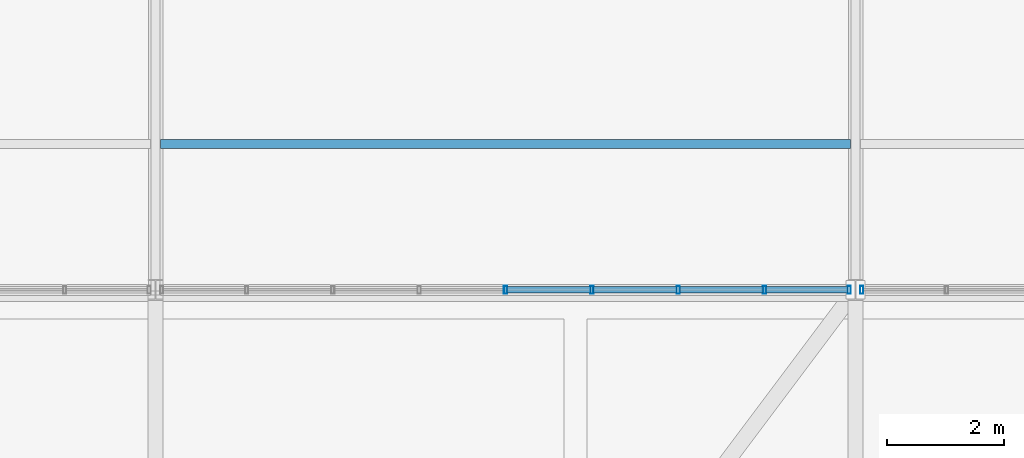
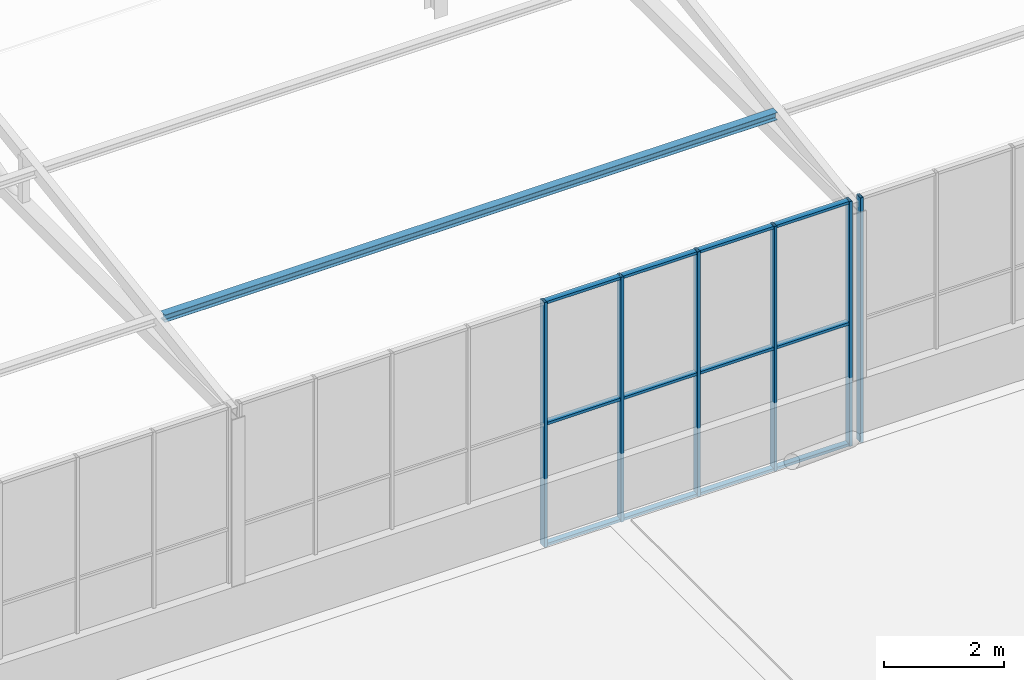
# One storey, part 56 of 104: 18 members, 1 beam, 2 elements without a shape of their own.
"""IFC4 building model written with IfcOpenShell, lengths in metres."""

import ifcopenshell
import ifcopenshell.guid

model = None  # the IFC model being written
_history = None  # IfcOwnerHistory: only IFC2X3 demands one
_inside = {}  # id of a spatial element -> (the spatial element, [elements in it])
_under = {}  # id of a project, library or spatial element -> (it, [spatial elements below it])
_declared = {}  # id of a project -> (the project, [libraries it declares])
_typed = {}  # id of a type object -> (the type object, [elements of that type])
_made_of = {}  # id of a material, layer set ... -> (it, [elements and type objects made of it])


def new_model(schema):
    """Start an empty IFC model of exactly this schema.

    Asked for "IFC4X3", IfcOpenShell would pick the latest addendum, in which some entities
    have other attributes; the version numbers below select the first issue.
    IFC2X3 requires an IfcOwnerHistory on every rooted entity: one is made here for all.
    """
    global model, _history
    if schema == "IFC4X3":
        model = ifcopenshell.file(schema_version=(4, 3, 0, 0))
    else:
        model = ifcopenshell.file(schema=schema)
    _inside.clear()
    _under.clear()
    _declared.clear()
    _typed.clear()
    _made_of.clear()
    _history = None
    if model.schema == "IFC2X3":
        org = make("IfcOrganization", Name="unknown")
        user = make(
            "IfcPersonAndOrganization",
            ThePerson=make("IfcPerson", FamilyName="unknown"),
            TheOrganization=org,
        )
        app = make(
            "IfcApplication",
            ApplicationDeveloper=org,
            Version="unknown",
            ApplicationFullName="unknown",
            ApplicationIdentifier="unknown",
        )
        _history = make(
            "IfcOwnerHistory",
            OwningUser=user,
            OwningApplication=app,
            ChangeAction="ADDED",
            CreationDate=0,
        )
    return model


def make(cls, **values):
    """One entity of the class cls with the attributes given. An attribute that is None is left unset."""
    return model.create_entity(
        cls, **{name: value for name, value in values.items() if value is not None}
    )


def rooted(cls, **values):
    """An entity with a GlobalId (a new one), such as an element, a storey or a relation."""
    return make(cls, GlobalId=ifcopenshell.guid.new(), OwnerHistory=_history, **values)


def si_unit(unit_type, name, prefix=None):
    """IfcSIUnit, for example si_unit("LENGTHUNIT", "METRE", prefix="MILLI")."""
    return make("IfcSIUnit", UnitType=unit_type, Prefix=prefix, Name=name)


def assignment(units):
    """IfcUnitAssignment: the units of a project."""
    return None if units is None else make("IfcUnitAssignment", Units=units)


def point(xyz):
    """IfcCartesianPoint."""
    return None if xyz is None else make("IfcCartesianPoint", Coordinates=xyz)


def direction(xyz):
    """IfcDirection."""
    return None if xyz is None else make("IfcDirection", DirectionRatios=xyz)


def frame(location, z_axis=None, x_axis=None):
    """IfcAxis2Placement3D, a coordinate frame: its origin and axes. An axis left out is left unset."""
    return make(
        "IfcAxis2Placement3D",
        Location=point(location),
        Axis=direction(z_axis),
        RefDirection=direction(x_axis),
    )


def frame_2d(location, x_axis=None):
    """IfcAxis2Placement2D, a coordinate frame in the plane: its origin and x axis."""
    return make(
        "IfcAxis2Placement2D", Location=point(location), RefDirection=direction(x_axis)
    )


def origin():
    """The frame at (0, 0, 0) with its axes left unset."""
    return frame((0.0, 0.0, 0.0))


def origin_2d():
    """The frame at (0, 0) in the plane with its x axis left unset."""
    return frame_2d((0.0, 0.0))


def place(relative_to, where):
    """IfcLocalPlacement: puts the frame where relative to a parent placement (None: the world)."""
    return make(
        "IfcLocalPlacement", PlacementRelTo=relative_to, RelativePlacement=where
    )


def context(
    kind, dimensions, precision=None, world=None, true_north=None, identifier=None
):
    """IfcGeometricRepresentationContext, for example the 3D "Model" context."""
    return make(
        "IfcGeometricRepresentationContext",
        ContextIdentifier=identifier,
        ContextType=kind,
        CoordinateSpaceDimension=dimensions,
        Precision=precision,
        WorldCoordinateSystem=world,
        TrueNorth=true_north,
    )


def subcontext(parent, identifier, kind, view, scale=None):
    """IfcGeometricRepresentationSubContext, for example "Body" below "Model"."""
    return make(
        "IfcGeometricRepresentationSubContext",
        ContextIdentifier=identifier,
        ContextType=kind,
        ParentContext=parent,
        TargetScale=scale,
        TargetView=view,
    )


def project(units=None, contexts=None):
    """IfcProject with its units and contexts."""
    return rooted(
        "IfcProject",
        Name="project",
        RepresentationContexts=contexts,
        UnitsInContext=assignment(units),
    )


def spatial(cls, under=None, at=None, **own):
    """A site, building, storey or space (cls), placed at a placement, below another one or the project."""
    s = rooted(cls, ObjectPlacement=at, **own)
    if under is not None:
        _under.setdefault(under.id(), (under, []))[1].append(s)
    return s


def profile(cls, at=None, kind="AREA", **sizes):
    """A parametric profile (cls). Its sizes go by their IFC names, for example OverallWidth=200.0."""
    return make(cls, ProfileType=kind, Position=at, **sizes)


def hollow_rectangle(**sizes):
    """IfcRectangleHollowProfileDef."""
    return profile("IfcRectangleHollowProfileDef", **sizes)


def i_section(**sizes):
    """IfcIShapeProfileDef."""
    return profile("IfcIShapeProfileDef", **sizes)


def extrude(swept, where, along, depth):
    """IfcExtrudedAreaSolid: the profile swept, set in the frame where, extruded along a direction by depth."""
    return make(
        "IfcExtrudedAreaSolid",
        SweptArea=swept,
        Position=where,
        ExtrudedDirection=direction(along),
        Depth=depth,
    )


def shape(context_of_items, identifier, shape_type, items):
    """IfcShapeRepresentation: the items that make up one representation, for example the "Body"."""
    return make(
        "IfcShapeRepresentation",
        ContextOfItems=context_of_items,
        RepresentationIdentifier=identifier,
        RepresentationType=shape_type,
        Items=items,
    )


def material(Name=None, Category=None):
    """IfcMaterial."""
    return make("IfcMaterial", Name=Name, Category=Category)


def layer(
    of_material, thickness, ventilated=None, Name=None, Category=None, Priority=None
):
    """IfcMaterialLayer: one layer of a wall or slab, of a material (None: an air gap)."""
    return make(
        "IfcMaterialLayer",
        Material=of_material,
        LayerThickness=thickness,
        IsVentilated=ventilated,
        Name=Name,
        Category=Category,
        Priority=Priority,
    )


def layer_set(layers, Name=None):
    """IfcMaterialLayerSet."""
    return make("IfcMaterialLayerSet", MaterialLayers=layers, LayerSetName=Name)


def material_profile(
    of_material, cross_section, Name=None, Category=None, Priority=None
):
    """IfcMaterialProfile: a cross section and its material."""
    return make(
        "IfcMaterialProfile",
        Name=Name,
        Material=of_material,
        Profile=cross_section,
        Priority=Priority,
        Category=Category,
    )


def profile_set(profiles, Name=None, composite=None):
    """IfcMaterialProfileSet."""
    return make(
        "IfcMaterialProfileSet",
        Name=Name,
        MaterialProfiles=profiles,
        CompositeProfile=composite,
    )


def made_of(thing, what):
    """Note that an element or type object is made of a material, layer set ...; save() writes the relation."""
    if what is not None:
        _made_of.setdefault(what.id(), (what, []))[1].append(thing)
    return thing


def type_object(cls, material=None, **own):
    """A type object (cls), such as IfcWallType, which elements share."""
    return made_of(rooted(cls, **own), material)


def element(
    cls,
    number,
    at=None,
    inside=None,
    cuts=None,
    type_object=None,
    material=None,
    context=None,
    identifier="Body",
    shape_type=None,
    held_by="IfcProductDefinitionShape",
    body=None,
    shapes=None,
    **own,
):
    """One element of the class cls, such as IfcWall. Its Tag is "e" and its number.

    at: its placement. inside: the storey or other place that contains it. cuts: it is an
    opening in that element (IfcRelVoidsElement). A single representation is given by context,
    identifier, shape_type and body (its items); several are given by shapes. held_by: the class
    of the entity that holds the representations. save() writes the other relations.
    """
    e = rooted(cls, Tag="e%d" % number, ObjectPlacement=at, **own)
    if body is not None:
        shapes = [shape(context, identifier, shape_type, body)]
    if shapes is not None:
        e.Representation = make(held_by, Representations=shapes)
    if inside is not None:
        _inside.setdefault(inside.id(), (inside, []))[1].append(e)
    if cuts is not None:
        rooted(
            "IfcRelVoidsElement", RelatingBuildingElement=cuts, RelatedOpeningElement=e
        )
    if type_object is not None:
        _typed.setdefault(type_object.id(), (type_object, []))[1].append(e)
    return made_of(e, material)


def aggregate(whole, parts):
    """IfcRelAggregates: a whole, such as a stair, and the parts it consists of."""
    return rooted("IfcRelAggregates", RelatingObject=whole, RelatedObjects=parts)


def save(model, path):
    """Write the relations noted so far, then the file.

    IfcRelAggregates (storeys below a building ...), IfcRelContainedInSpatialStructure (elements
    in a storey), IfcRelDefinesByType, IfcRelAssociatesMaterial and IfcRelDeclares: one each for
    every whole, place, type object, material and project.
    """
    for whole, parts in _under.values():
        aggregate(whole, parts)
    for where, things in _inside.values():
        rooted(
            "IfcRelContainedInSpatialStructure",
            RelatedElements=things,
            RelatingStructure=where,
        )
    for kind, things in _typed.values():
        rooted("IfcRelDefinesByType", RelatedObjects=things, RelatingType=kind)
    for what, things in _made_of.values():
        rooted("IfcRelAssociatesMaterial", RelatedObjects=things, RelatingMaterial=what)
    for by, libraries in _declared.values():
        rooted("IfcRelDeclares", RelatingContext=by, RelatedDefinitions=libraries)
    model.write(path)


model = new_model("IFC4")

# Units and contexts
model_context = context("Model", 3, precision=1e-05, world=origin(), true_north=direction((0.0, 1.0)))
body_context = subcontext(model_context, "Body", "Model", "MODEL_VIEW")
ifc_project = project(units=[si_unit("LENGTHUNIT", "METRE"), si_unit("AREAUNIT", "SQUARE_METRE"), si_unit("VOLUMEUNIT", "CUBIC_METRE"), si_unit("PLANEANGLEUNIT", "RADIAN"), si_unit("MASSUNIT", "GRAM", prefix="KILO")], contexts=[model_context])

# Site, building, storey
site_placement = place(None, origin())
site = spatial("IfcSite", under=ifc_project, at=site_placement, CompositionType="ELEMENT")
building_placement = place(site_placement, origin())
building = spatial("IfcBuilding", under=site, at=building_placement, Name="Solvenia Promenade Tram Depot", CompositionType="ELEMENT")
storey_placement = place(building_placement, frame((0.0, 0.0, 9.0)))
storey = spatial("IfcBuildingStorey", under=building, at=storey_placement, Name="L02", CompositionType="ELEMENT", Elevation=9.0)

# Curtain wall, members
ifc_material_1 = material(Name="Anodized aluminium AW-6063 T6", Category="aluminium")
ifc_layer = layer(ifc_material_1, 0.080078125, Name="Anodized aluminium AW-6063 T6", Category="aluminium")
ifc_layer_set = layer_set([ifc_layer], Name="Anodized aluminium AW-6063 T6")
curtain_wall_type = type_object("IfcCurtainWallType", Name="CW-Clerest-1500", PredefinedType="NOTDEFINED", material=ifc_layer_set)
curtain_wall_1_placement = place(storey_placement, origin())
curtain_wall_1 = element("IfcCurtainWall", 1, at=curtain_wall_1_placement, inside=storey, type_object=curtain_wall_type, Name="Curtain Wall CW-V2S-L2-08", PredefinedType="NOTDEFINED")
ifc_material_profile_1 = material_profile(ifc_material_1, hollow_rectangle(XDim=0.139892578125, YDim=0.054931640625, WallThickness=0.00390625, at=origin_2d()), Name="ALU-M4", Category="aluminium")
ifc_profile_set_1 = profile_set([ifc_material_profile_1], Name="Anodized aluminium AW-6063 T6")
member_type_1 = type_object("IfcMemberType", Name="CWM-Mullion-4", PredefinedType="MULLION", material=ifc_profile_set_1)
member_1_placement = place(storey_placement, frame((168.0, 24.0, -0.300048828125), z_axis=(0.0, 0.0, 1.0), x_axis=(0.0, 1.0, 0.0)))
member_1 = element("IfcMember", 2, at=member_1_placement, type_object=member_type_1, Name="CW-4 mullion 5", PredefinedType="MULLION", context=body_context, shape_type="SweptSolid", body=[
    extrude(hollow_rectangle(XDim=0.139892578125, YDim=0.054931640625, WallThickness=0.00390625, at=origin_2d()), origin(), (0.0, 0.0, 1.0), 5.0),
])
member_2_placement = place(storey_placement, frame((169.47998046875, 24.0, -0.300048828125), z_axis=(0.0, 0.0, 1.0), x_axis=(0.0, 1.0, 0.0)))
member_2 = element("IfcMember", 3, at=member_2_placement, type_object=member_type_1, Name="CW-4 mullion 6", PredefinedType="MULLION", context=body_context, shape_type="SweptSolid", body=[
    extrude(hollow_rectangle(XDim=0.139892578125, YDim=0.054931640625, WallThickness=0.00390625, at=origin_2d()), origin(), (0.0, 0.0, 1.0), 5.0),
])
member_3_placement = place(storey_placement, frame((170.9599609375, 24.0, -0.300048828125), z_axis=(0.0, 0.0, 1.0), x_axis=(0.0, 1.0, 0.0)))
member_3 = element("IfcMember", 4, at=member_3_placement, type_object=member_type_1, Name="CW-4 mullion 7", PredefinedType="MULLION", context=body_context, shape_type="SweptSolid", body=[
    extrude(hollow_rectangle(XDim=0.139892578125, YDim=0.054931640625, WallThickness=0.00390625, at=origin_2d()), origin(), (0.0, 0.0, 1.0), 5.0),
])
member_4_placement = place(storey_placement, frame((172.43994140625, 24.0, -0.300048828125), z_axis=(0.0, 0.0, 1.0), x_axis=(0.0, 1.0, 0.0)))
member_4 = element("IfcMember", 5, at=member_4_placement, type_object=member_type_1, Name="CW-4 mullion 8", PredefinedType="MULLION", context=body_context, shape_type="SweptSolid", body=[
    extrude(hollow_rectangle(XDim=0.139892578125, YDim=0.054931640625, WallThickness=0.00390625, at=origin_2d()), origin(), (0.0, 0.0, 1.0), 5.0),
])
member_5_placement = place(storey_placement, frame((173.892578125, 24.0, -0.300048828125), z_axis=(0.0, 0.0, 1.0), x_axis=(0.0, 1.0, 0.0)))
member_5 = element("IfcMember", 6, at=member_5_placement, type_object=member_type_1, Name="CW-4 mullion 9", PredefinedType="MULLION", context=body_context, shape_type="SweptSolid", body=[
    extrude(hollow_rectangle(XDim=0.139892578125, YDim=0.054931640625, WallThickness=0.00390625, at=origin_2d()), origin(), (0.0, 0.0, 1.0), 5.0),
])

# Curtain wall, member
curtain_wall_2_placement = place(storey_placement, origin())
curtain_wall_2 = element("IfcCurtainWall", 7, at=curtain_wall_2_placement, inside=storey, type_object=curtain_wall_type, Name="Curtain Wall CW-V2S-L2-09", PredefinedType="NOTDEFINED")
member_6_placement = place(storey_placement, frame((174.107421875, 24.0, -0.300048828125), z_axis=(0.0, 0.0, 1.0), x_axis=(0.0, 1.0, 0.0)))
member_6 = element("IfcMember", 8, at=member_6_placement, type_object=member_type_1, Name="CW-4 mullion 1", PredefinedType="MULLION", context=body_context, shape_type="SweptSolid", body=[
    extrude(hollow_rectangle(XDim=0.139892578125, YDim=0.054931640625, WallThickness=0.00390625, at=origin_2d()), origin(), (0.0, 0.0, 1.0), 5.0),
])
aggregate(curtain_wall_2, [member_6])

# Member
ifc_material_profile_2 = material_profile(ifc_material_1, hollow_rectangle(XDim=0.110107421875, YDim=0.054931640625, WallThickness=0.00390625, at=origin_2d()), Name="ALU-T4", Category="aluminium")
ifc_profile_set_2 = profile_set([ifc_material_profile_2], Name="Anodized aluminium AW-6063 T6")
member_type_2 = type_object("IfcMemberType", Name="CWT-Transom-4", PredefinedType="USERDEFINED", material=ifc_profile_set_2)
member_7_placement = place(storey_placement, frame((168.027587890625, 24.0, -0.2724609375), z_axis=(1.0, 0.0, 0.0), x_axis=(0.0, 1.0, 0.0)))
member_7 = element("IfcMember", 9, at=member_7_placement, type_object=member_type_2, Name="CW-4 transom 5.1", ObjectType="TRANSOM", PredefinedType="USERDEFINED", context=body_context, shape_type="SweptSolid", body=[
    extrude(hollow_rectangle(XDim=0.110107421875, YDim=0.054931640625, WallThickness=0.00390625, at=origin_2d()), origin(), (0.0, 0.0, 1.0), 1.4248046875),
])

member_8_placement = place(storey_placement, frame((168.027587890625, 24.0, 2.199951171875), z_axis=(1.0, 0.0, 0.0), x_axis=(0.0, 1.0, 0.0)))
member_8 = element("IfcMember", 10, at=member_8_placement, type_object=member_type_2, Name="CW-4 transom 5.2", ObjectType="TRANSOM", PredefinedType="USERDEFINED", context=body_context, shape_type="SweptSolid", body=[
    extrude(hollow_rectangle(XDim=0.110107421875, YDim=0.054931640625, WallThickness=0.00390625, at=origin_2d()), origin(), (0.0, 0.0, 1.0), 1.4248046875),
])

member_9_placement = place(storey_placement, frame((168.027587890625, 24.0, 4.672607421875), z_axis=(1.0, 0.0, 0.0), x_axis=(0.0, 1.0, 0.0)))
member_9 = element("IfcMember", 11, at=member_9_placement, type_object=member_type_2, Name="CW-4 transom 5.3", ObjectType="TRANSOM", PredefinedType="USERDEFINED", context=body_context, shape_type="SweptSolid", body=[
    extrude(hollow_rectangle(XDim=0.110107421875, YDim=0.054931640625, WallThickness=0.00390625, at=origin_2d()), origin(), (0.0, 0.0, 1.0), 1.4248046875),
])

member_10_placement = place(storey_placement, frame((169.507568359375, 24.0, -0.2724609375), z_axis=(1.0, 0.0, 0.0), x_axis=(0.0, 1.0, 0.0)))
member_10 = element("IfcMember", 12, at=member_10_placement, type_object=member_type_2, Name="CW-4 transom 6.1", ObjectType="TRANSOM", PredefinedType="USERDEFINED", context=body_context, shape_type="SweptSolid", body=[
    extrude(hollow_rectangle(XDim=0.110107421875, YDim=0.054931640625, WallThickness=0.00390625, at=origin_2d()), origin(), (0.0, 0.0, 1.0), 1.425048828125),
])

member_11_placement = place(storey_placement, frame((169.507568359375, 24.0, 2.199951171875), z_axis=(1.0, 0.0, 0.0), x_axis=(0.0, 1.0, 0.0)))
member_11 = element("IfcMember", 13, at=member_11_placement, type_object=member_type_2, Name="CW-4 transom 6.2", ObjectType="TRANSOM", PredefinedType="USERDEFINED", context=body_context, shape_type="SweptSolid", body=[
    extrude(hollow_rectangle(XDim=0.110107421875, YDim=0.054931640625, WallThickness=0.00390625, at=origin_2d()), origin(), (0.0, 0.0, 1.0), 1.425048828125),
])

member_12_placement = place(storey_placement, frame((169.507568359375, 24.0, 4.672607421875), z_axis=(1.0, 0.0, 0.0), x_axis=(0.0, 1.0, 0.0)))
member_12 = element("IfcMember", 14, at=member_12_placement, type_object=member_type_2, Name="CW-4 transom 6.3", ObjectType="TRANSOM", PredefinedType="USERDEFINED", context=body_context, shape_type="SweptSolid", body=[
    extrude(hollow_rectangle(XDim=0.110107421875, YDim=0.054931640625, WallThickness=0.00390625, at=origin_2d()), origin(), (0.0, 0.0, 1.0), 1.425048828125),
])

member_13_placement = place(storey_placement, frame((170.987548828125, 24.0, -0.2724609375), z_axis=(1.0, 0.0, 0.0), x_axis=(0.0, 1.0, 0.0)))
member_13 = element("IfcMember", 15, at=member_13_placement, type_object=member_type_2, Name="CW-4 transom 7.1", ObjectType="TRANSOM", PredefinedType="USERDEFINED", context=body_context, shape_type="SweptSolid", body=[
    extrude(hollow_rectangle(XDim=0.110107421875, YDim=0.054931640625, WallThickness=0.00390625, at=origin_2d()), origin(), (0.0, 0.0, 1.0), 1.425048828125),
])

member_14_placement = place(storey_placement, frame((170.987548828125, 24.0, 2.199951171875), z_axis=(1.0, 0.0, 0.0), x_axis=(0.0, 1.0, 0.0)))
member_14 = element("IfcMember", 16, at=member_14_placement, type_object=member_type_2, Name="CW-4 transom 7.2", ObjectType="TRANSOM", PredefinedType="USERDEFINED", context=body_context, shape_type="SweptSolid", body=[
    extrude(hollow_rectangle(XDim=0.110107421875, YDim=0.054931640625, WallThickness=0.00390625, at=origin_2d()), origin(), (0.0, 0.0, 1.0), 1.425048828125),
])

member_15_placement = place(storey_placement, frame((170.987548828125, 24.0, 4.672607421875), z_axis=(1.0, 0.0, 0.0), x_axis=(0.0, 1.0, 0.0)))
member_15 = element("IfcMember", 17, at=member_15_placement, type_object=member_type_2, Name="CW-4 transom 7.3", ObjectType="TRANSOM", PredefinedType="USERDEFINED", context=body_context, shape_type="SweptSolid", body=[
    extrude(hollow_rectangle(XDim=0.110107421875, YDim=0.054931640625, WallThickness=0.00390625, at=origin_2d()), origin(), (0.0, 0.0, 1.0), 1.425048828125),
])

member_16_placement = place(storey_placement, frame((172.467529296875, 24.0, -0.2724609375), z_axis=(1.0, 0.0, 0.0), x_axis=(0.0, 1.0, 0.0)))
member_16 = element("IfcMember", 18, at=member_16_placement, type_object=member_type_2, Name="CW-4 transom 8.1", ObjectType="TRANSOM", PredefinedType="USERDEFINED", context=body_context, shape_type="SweptSolid", body=[
    extrude(hollow_rectangle(XDim=0.110107421875, YDim=0.054931640625, WallThickness=0.00390625, at=origin_2d()), origin(), (0.0, 0.0, 1.0), 1.3974609375),
])

member_17_placement = place(storey_placement, frame((172.467529296875, 24.0, 2.199951171875), z_axis=(1.0, 0.0, 0.0), x_axis=(0.0, 1.0, 0.0)))
member_17 = element("IfcMember", 19, at=member_17_placement, type_object=member_type_2, Name="CW-4 transom 8.2", ObjectType="TRANSOM", PredefinedType="USERDEFINED", context=body_context, shape_type="SweptSolid", body=[
    extrude(hollow_rectangle(XDim=0.110107421875, YDim=0.054931640625, WallThickness=0.00390625, at=origin_2d()), origin(), (0.0, 0.0, 1.0), 1.3974609375),
])

member_18_placement = place(storey_placement, frame((172.467529296875, 24.0, 4.672607421875), z_axis=(1.0, 0.0, 0.0), x_axis=(0.0, 1.0, 0.0)))
member_18 = element("IfcMember", 20, at=member_18_placement, type_object=member_type_2, Name="CW-4 transom 8.3", ObjectType="TRANSOM", PredefinedType="USERDEFINED", context=body_context, shape_type="SweptSolid", body=[
    extrude(hollow_rectangle(XDim=0.110107421875, YDim=0.054931640625, WallThickness=0.00390625, at=origin_2d()), origin(), (0.0, 0.0, 1.0), 1.3974609375),
])

aggregate(curtain_wall_1, [member_1, member_2, member_3, member_4, member_5, member_7, member_8, member_9, member_10, member_11, member_12, member_13, member_14, member_15, member_16, member_17, member_18])

# Beam
ifc_material_2 = material(Name="Structural steel ASTM A992 Gr. 50", Category="steel")
ifc_material_profile_3 = material_profile(ifc_material_2, i_section(OverallWidth=0.152099609375, OverallDepth=0.152099609375, WebThickness=0.005859375, FlangeThickness=0.006591796875, FilletRadius=0.008056640625, at=origin_2d()), Name="W150x22", Category="steel")
ifc_profile_set_3 = profile_set([ifc_material_profile_3], Name="Structural steel ASTM A992 Gr. 50")
beam_type = type_object("IfcBeamType", Name="Purlin-W150x22", PredefinedType="USERDEFINED", material=ifc_profile_set_3)
beam_placement = place(storey_placement, frame((162.0849609375, 26.5, 4.919921875), z_axis=(1.0, 0.0, 0.0), x_axis=(0.0, 1.0, 0.0)))
element("IfcBeam", 21, at=beam_placement, inside=storey, type_object=beam_type, Name="Clerestory Purlin 0215", ObjectType="PURLIN", PredefinedType="USERDEFINED", context=body_context, shape_type="SweptSolid", body=[
    extrude(i_section(OverallWidth=0.152099609375, OverallDepth=0.152099609375, WebThickness=0.005859375, FlangeThickness=0.006591796875, FilletRadius=0.008056640625, at=origin_2d()), origin(), (0.0, 0.0, 1.0), 11.830078125),
])

save(model, "model.ifc")
